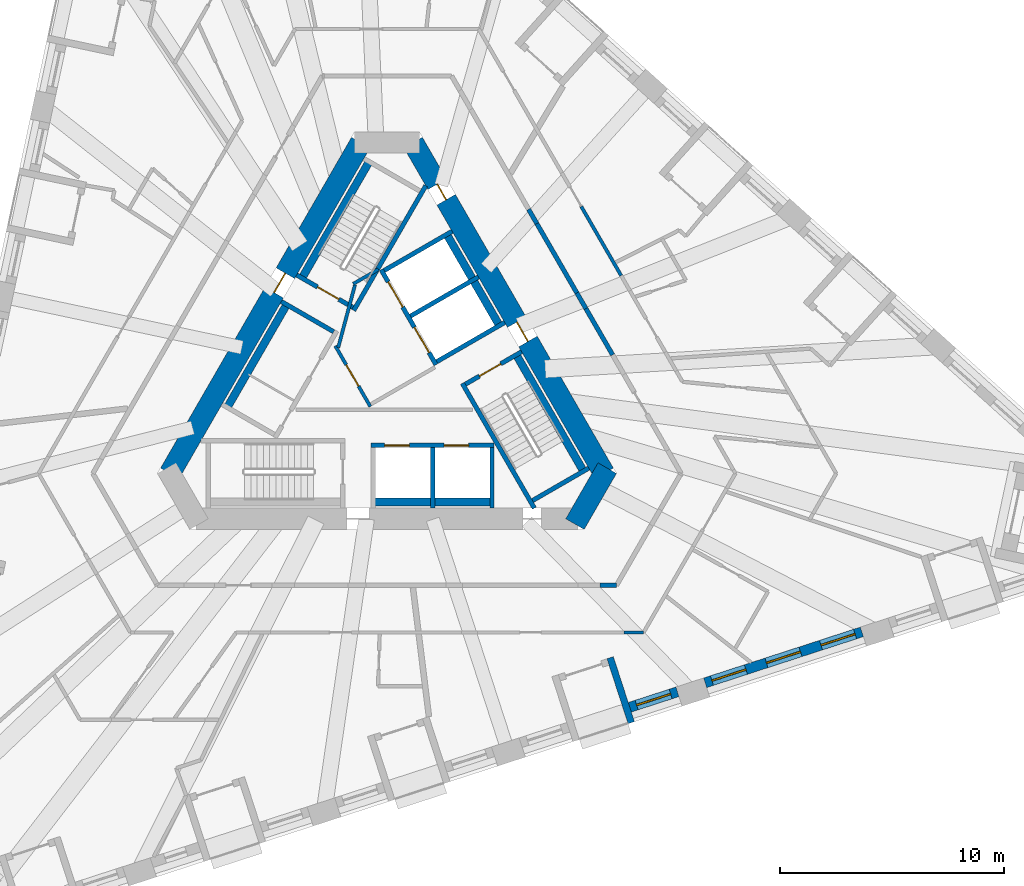
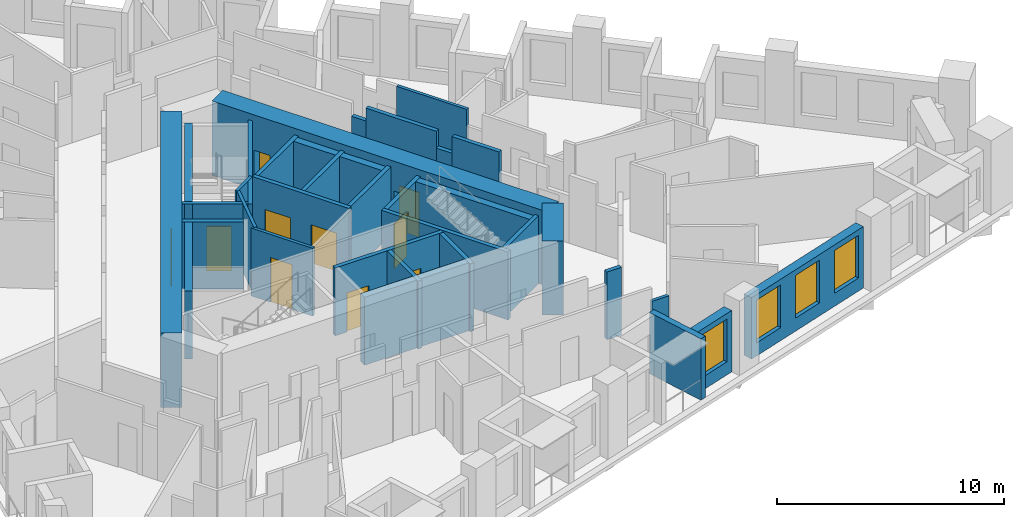
# One storey, part 5 of 13: 34 walls, 10 doors, 4 windows, 14 openings.
"""IFC4 building model written with IfcOpenShell, lengths in metres."""

from ifc_helpers import new_model, si_unit, direction, frame, frame_2d, origin, place, context, subcontext, project, spatial, rectangle, extrude, material, layer, layer_set, type_object, element, fill, save


model = new_model("IFC4")

# Units and contexts
model_context = context("Model", 3, precision=1e-05, world=origin(), true_north=direction((0.0, 1.0)))
body_context = subcontext(model_context, "Body", "Model", "MODEL_VIEW")
ifc_project = project(units=[si_unit("LENGTHUNIT", "METRE"), si_unit("AREAUNIT", "SQUARE_METRE"), si_unit("VOLUMEUNIT", "CUBIC_METRE"), si_unit("PLANEANGLEUNIT", "RADIAN"), si_unit("MASSUNIT", "GRAM", prefix="KILO")], contexts=[model_context])

# Site, building, storey
site_placement = place(None, origin())
site = spatial("IfcSite", under=ifc_project, at=site_placement, CompositionType="ELEMENT")
building_placement = place(site_placement, origin())
building = spatial("IfcBuilding", under=site, at=building_placement, Name="Tramontana Tower", CompositionType="ELEMENT")
storey_placement = place(building_placement, frame((0.0, 0.0, 108.39990234375)))
storey = spatial("IfcBuildingStorey", under=building, at=storey_placement, Name="L24", CompositionType="ELEMENT", Elevation=108.39990234375)

# Wall, opening, door
ifc_material_1 = material(Name="Concrete 70 MPa", Category="concrete")
ifc_layer_1 = layer(ifc_material_1, 0.949951171875)
ifc_layer_set_1 = layer_set([ifc_layer_1], Name="Core wall 950 70 MPa")
wall_type_1 = type_object("IfcWallType", Name="Core wall 950 70 MPa", PredefinedType="SHEAR", material=ifc_layer_set_1)
wall_1_placement = place(storey_placement, frame((-1.169189453125, 10.52490234375, 0.0), z_axis=(0.0, 0.0, 1.0), x_axis=(-0.499999102847, -0.866025921755, 0.0)))
wall_1 = element("IfcWall", 1, at=wall_1_placement, inside=storey, type_object=wall_type_1, Name="Core wall C1 L24", PredefinedType="SHEAR", context=body_context, shape_type="SweptSolid", body=[
    extrude(rectangle(XDim=17.060546875, YDim=0.949951171875, at=frame_2d((8.5302734375, 0.0))), origin(), (0.0, 0.0, 1.0), 4.0),
])
opening_1_placement = place(wall_1_placement, frame((6.7353515625, 0.0, 0.0)))
opening_1 = element("IfcOpeningElement", 2, at=opening_1_placement, cuts=wall_1, Name="Opening RG1", PredefinedType="OPENING", context=body_context, shape_type="SweptSolid", body=[
    extrude(rectangle(XDim=1.0, YDim=2.39990234375, at=frame_2d((0.5, 1.199951171875))), frame((0.0, 0.48486328125, 0.0), z_axis=(0.0, -1.0, 0.0), x_axis=(1.0, 0.0, 0.0)), (0.0, 0.0, 1.0), 0.969970703125),
])
ifc_material_2 = material(Name="Painted steel", Category="steel")
door_type_1 = type_object("IfcDoorType", Name="RING DOOR 1000", OperationType="SINGLE_SWING_LEFT", PredefinedType="DOOR", material=ifc_material_2)
door_1_placement = place(opening_1_placement, origin())
door_1 = element("IfcDoor", 3, at=door_1_placement, inside=storey, type_object=door_type_1, Name="Door RG1", OperationType="SINGLE_SWING_RIGHT", OverallHeight=2.39990234375, OverallWidth=1.0, PredefinedType="DOOR", context=body_context, shape_type="SweptSolid", body=[
    extrude(rectangle(XDim=1.0, YDim=2.39990234375, at=frame_2d((0.5, 1.199951171875))), frame((0.0, 0.02490234375, 0.0), z_axis=(0.0, -1.0, 0.0), x_axis=(1.0, 0.0, 0.0)), (0.0, 0.0, 1.0), 0.050048828125),
])
fill(opening_1, door_1)

# Wall
wall_2_placement = place(storey_placement, frame((8.393310546875, -6.512451171875, 0.0), z_axis=(0.0, 0.0, 1.0), x_axis=(0.499995765644, 0.866027848477, 0.0)))
element("IfcWall", 4, at=wall_2_placement, inside=storey, type_object=wall_type_1, Name="Core wall C4 L24", PredefinedType="SHEAR", context=body_context, shape_type="SweptSolid", body=[
    extrude(rectangle(XDim=2.88671875, YDim=0.949951171875, at=frame_2d((1.443359375, 0.0))), origin(), (0.0, 0.0, 1.0), 4.0),
])

# Wall, openings, doors
wall_3_placement = place(storey_placement, frame((9.699462890625, -4.25, 0.0), z_axis=(0.0, 0.0, 1.0), x_axis=(-0.499999102847, 0.866025921755, 0.0)))
wall_3 = element("IfcWall", 5, at=wall_3_placement, inside=storey, type_object=wall_type_1, Name="Core wall C5 L24", PredefinedType="SHEAR", context=body_context, shape_type="SweptSolid", body=[
    extrude(rectangle(XDim=17.060546875, YDim=0.949951171875, at=frame_2d((8.5302734375, 0.0))), origin(), (0.0, 0.0, 1.0), 4.0),
])
opening_2_placement = place(wall_3_placement, frame((6.805419921875, 0.0, 0.0)))
opening_2 = element("IfcOpeningElement", 6, at=opening_2_placement, cuts=wall_3, Name="Opening RG3", PredefinedType="OPENING", context=body_context, shape_type="SweptSolid", body=[
    extrude(rectangle(XDim=1.0, YDim=2.39990234375, at=frame_2d((0.5, 1.199951171875))), frame((0.0, 0.48486328125, 0.0), z_axis=(0.0, -1.0, 0.0), x_axis=(1.0, 0.0, 0.0)), (0.0, 0.0, 1.0), 0.969970703125),
])
opening_3_placement = place(wall_3_placement, frame((14.11376953125, 0.0, 0.0)))
opening_3 = element("IfcOpeningElement", 7, at=opening_3_placement, cuts=wall_3, Name="Opening PD3", PredefinedType="OPENING", context=body_context, shape_type="SweptSolid", body=[
    extrude(rectangle(XDim=0.800048828125, YDim=2.10009765625, at=frame_2d((0.39990234375, 1.050048828125))), frame((0.0, 0.48486328125, 0.0), z_axis=(0.0, -1.0, 0.0), x_axis=(1.0, 0.0, 0.0)), (0.0, 0.0, 1.0), 0.969970703125),
])
ifc_material_3 = material(Name="Painted steel", Category="steel")
door_type_2 = type_object("IfcDoorType", Name="CUPBOARD DOOR 800", OperationType="SINGLE_SWING_LEFT", PredefinedType="DOOR", material=ifc_material_3)
door_2_placement = place(opening_3_placement, origin())
door_2 = element("IfcDoor", 8, at=door_2_placement, inside=storey, type_object=door_type_2, Name="Door PD3", OperationType="SINGLE_SWING_RIGHT", OverallHeight=2.10009765625, OverallWidth=0.800048828125, PredefinedType="DOOR", context=body_context, shape_type="SweptSolid", body=[
    extrude(rectangle(XDim=0.800048828125, YDim=2.10009765625, at=frame_2d((0.39990234375, 1.050048828125))), frame((0.0, 0.02490234375, 0.0), z_axis=(0.0, -1.0, 0.0), x_axis=(1.0, 0.0, 0.0)), (0.0, 0.0, 1.0), 0.050048828125),
])
fill(opening_3, door_2)
door_3_placement = place(opening_2_placement, origin())
door_3 = element("IfcDoor", 9, at=door_3_placement, inside=storey, type_object=door_type_1, Name="Door RG3", OperationType="SINGLE_SWING_RIGHT", OverallHeight=2.39990234375, OverallWidth=1.0, PredefinedType="DOOR", context=body_context, shape_type="SweptSolid", body=[
    extrude(rectangle(XDim=1.0, YDim=2.39990234375, at=frame_2d((0.5, 1.199951171875))), frame((0.0, 0.02490234375, 0.0), z_axis=(0.0, -1.0, 0.0), x_axis=(1.0, 0.0, 0.0)), (0.0, 0.0, 1.0), 0.050048828125),
])
fill(opening_2, door_3)

# Walls
ifc_material_4 = material(Name="Blockwork", Category="masonry")
ifc_layer_2 = layer(ifc_material_4, 0.199951171875)
ifc_layer_set_2 = layer_set([ifc_layer_2], Name="ENTRY WALL 200")
wall_type_2 = type_object("IfcWallType", Name="ENTRY WALL 200", PredefinedType="SOLIDWALL", material=ifc_layer_set_2)
wall_4_placement = place(storey_placement, frame((6.323974609375, 7.546630859375, 0.0), z_axis=(0.0, 0.0, 1.0), x_axis=(0.499885169746, -0.866091690913, 0.0)))
element("IfcWall", 10, at=wall_4_placement, inside=storey, type_object=wall_type_2, Name="Wall v21-ew0-3", PredefinedType="SOLIDWALL", context=body_context, shape_type="SweptSolid", body=[
    extrude(rectangle(XDim=0.736083984375, YDim=0.199951171875, at=frame_2d((0.3681640625, 0.0))), origin(), (0.0, 0.0, 1.0), 2.9501953125),
])
wall_5_placement = place(storey_placement, frame((6.69189453125, 6.9091796875, 0.0), z_axis=(0.0, 0.0, 1.0), x_axis=(0.500029679218, -0.866008267802, 0.0)))
element("IfcWall", 11, at=wall_5_placement, inside=storey, type_object=wall_type_2, Name="Wall v21-ew0-4", PredefinedType="SOLIDWALL", context=body_context, shape_type="SweptSolid", body=[
    extrude(rectangle(XDim=3.576904296875, YDim=0.199951171875, at=frame_2d((1.78857421875, 0.0))), origin(), (0.0, 0.0, 1.0), 3.650146484375),
])
wall_6_placement = place(storey_placement, frame((8.48046875, 3.8115234375, 0.0), z_axis=(0.0, 0.0, 1.0), x_axis=(0.499809598504, -0.866135304236, 0.0)))
element("IfcWall", 12, at=wall_6_placement, inside=storey, type_object=wall_type_2, Name="Wall v21-ew0-5", PredefinedType="SOLIDWALL", context=body_context, shape_type="SweptSolid", body=[
    extrude(rectangle(XDim=0.808349609375, YDim=0.199951171875, at=frame_2d((0.404296875, 0.0))), origin(), (0.0, 0.0, 1.0), 2.75),
])
wall_7_placement = place(storey_placement, frame((8.884521484375, 3.111328125, 0.0), z_axis=(0.0, 0.0, 1.0), x_axis=(0.500035462246, -0.866004928679, 0.0)))
element("IfcWall", 13, at=wall_7_placement, inside=storey, type_object=wall_type_2, Name="Wall v21-ew0-6", PredefinedType="SOLIDWALL", context=body_context, shape_type="SweptSolid", body=[
    extrude(rectangle(XDim=2.385498046875, YDim=0.199951171875, at=frame_2d((1.19287109375, 0.0))), origin(), (0.0, 0.0, 1.0), 3.650146484375),
])
wall_8_placement = place(storey_placement, frame((10.248046875, -9.25, 0.0), z_axis=(0.0, 0.0, 1.0), x_axis=(-1.0, 0.0, 0.0)))
element("IfcWall", 14, at=wall_8_placement, inside=storey, type_object=wall_type_2, Name="Wall v21-ew2-0", PredefinedType="SOLIDWALL", context=body_context, shape_type="SweptSolid", body=[
    extrude(rectangle(XDim=0.74365234375, YDim=0.199951171875, at=frame_2d((0.371826171875, 0.0))), origin(), (0.0, 0.0, 1.0), 3.650146484375),
])

# Wall, opening, window
ifc_material_5 = material(Name="Precast concrete 60 MPa", Category="concrete")
ifc_layer_3 = layer(ifc_material_5, 0.449951171875)
ifc_layer_set_3 = layer_set([ifc_layer_3], Name="Precast concrete 60 MPa, 450 mm")
wall_type_3 = type_object("IfcWallType", Name="EW1 Stone-faced precast wall 450", PredefinedType="SOLIDWALL", material=ifc_layer_set_3)
wall_9_placement = place(storey_placement, frame((10.8447265625, -14.69287109375, 0.0), z_axis=(0.0, 0.0, 1.0), x_axis=(0.951057328329, 0.30901449518, 0.0)))
wall_9 = element("IfcWall", 15, at=wall_9_placement, inside=storey, type_object=wall_type_3, Name="External wall L24 face 1 bay 4", PredefinedType="SOLIDWALL", context=body_context, shape_type="SweptSolid", body=[
    extrude(rectangle(XDim=2.236572265625, YDim=0.449951171875, at=frame_2d((1.1181640625, 0.0))), origin(), (0.0, 0.0, 1.0), 3.300048828125),
])
opening_4_placement = place(wall_9_placement, frame((0.318359375, 0.0, 0.699951171875)))
opening_4 = element("IfcOpeningElement", 16, at=opening_4_placement, cuts=wall_9, Name="Opening M1", PredefinedType="OPENING", context=body_context, shape_type="SweptSolid", body=[
    extrude(rectangle(XDim=1.60009765625, YDim=2.300048828125, at=frame_2d((0.800048828125, 1.14990234375))), frame((0.0, 0.23486328125, 0.0), z_axis=(0.0, -1.0, 0.0), x_axis=(1.0, 0.0, 0.0)), (0.0, 0.0, 1.0), 0.469970703125),
])
ifc_material_6 = material(Name="Aluminum frame, double glazing unit", Category="aluminium")
window_type = type_object("IfcWindowType", Name="M1 Window 1.6 x 2.3", PartitioningType="SINGLE_PANEL", PredefinedType="WINDOW", material=ifc_material_6)
window_1_placement = place(opening_4_placement, origin())
window_1 = element("IfcWindow", 17, at=window_1_placement, inside=storey, type_object=window_type, Name="Window M1 L24 face 1 module 12", OverallHeight=2.300048828125, OverallWidth=1.60009765625, PartitioningType="SINGLE_PANEL", PredefinedType="WINDOW", context=body_context, shape_type="SweptSolid", body=[
    extrude(rectangle(XDim=1.60009765625, YDim=2.300048828125, at=frame_2d((0.800048828125, 1.14990234375))), frame((0.0, 0.030029296875, 0.0), z_axis=(0.0, -1.0, 0.0), x_axis=(1.0, 0.0, 0.0)), (0.0, 0.0, 1.0), 0.06005859375),
])
fill(opening_4, window_1)

# Wall, openings, windows
wall_10_placement = place(storey_placement, frame((14.208251953125, -13.60009765625, 0.0), z_axis=(0.0, 0.0, 1.0), x_axis=(0.951057467065, 0.309014068191, 0.0)))
wall_10 = element("IfcWall", 18, at=wall_10_placement, inside=storey, type_object=wall_type_3, Name="External wall L24 face 1 bay 5", PredefinedType="SOLIDWALL", context=body_context, shape_type="SweptSolid", body=[
    extrude(rectangle(XDim=7.360107421875, YDim=0.449951171875, at=frame_2d((3.68017578125, 0.0))), origin(), (0.0, 0.0, 1.0), 3.300048828125),
])
opening_5_placement = place(wall_10_placement, frame((0.318359375, 0.0, 0.699951171875)))
opening_5 = element("IfcOpeningElement", 19, at=opening_5_placement, cuts=wall_10, Name="Opening M1", PredefinedType="OPENING", context=body_context, shape_type="SweptSolid", body=[
    extrude(rectangle(XDim=1.60009765625, YDim=2.300048828125, at=frame_2d((0.800048828125, 1.14990234375))), frame((0.0, 0.23486328125, 0.0), z_axis=(0.0, -1.0, 0.0), x_axis=(1.0, 0.0, 0.0)), (0.0, 0.0, 1.0), 0.469970703125),
])
opening_6_placement = place(wall_10_placement, frame((2.880126953125, 0.0, 0.699951171875)))
opening_6 = element("IfcOpeningElement", 20, at=opening_6_placement, cuts=wall_10, Name="Opening M1", PredefinedType="OPENING", context=body_context, shape_type="SweptSolid", body=[
    extrude(rectangle(XDim=1.60009765625, YDim=2.300048828125, at=frame_2d((0.800048828125, 1.14990234375))), frame((0.0, 0.23486328125, 0.0), z_axis=(0.0, -1.0, 0.0), x_axis=(1.0, 0.0, 0.0)), (0.0, 0.0, 1.0), 0.469970703125),
])
opening_7_placement = place(wall_10_placement, frame((5.44189453125, 0.0, 0.699951171875)))
opening_7 = element("IfcOpeningElement", 21, at=opening_7_placement, cuts=wall_10, Name="Opening M1", PredefinedType="OPENING", context=body_context, shape_type="SweptSolid", body=[
    extrude(rectangle(XDim=1.60009765625, YDim=2.300048828125, at=frame_2d((0.800048828125, 1.14990234375))), frame((0.0, 0.23486328125, 0.0), z_axis=(0.0, -1.0, 0.0), x_axis=(1.0, 0.0, 0.0)), (0.0, 0.0, 1.0), 0.469970703125),
])
window_2_placement = place(opening_5_placement, origin())
window_2 = element("IfcWindow", 22, at=window_2_placement, inside=storey, type_object=window_type, Name="Window M1 L24 face 1 module 13", OverallHeight=2.300048828125, OverallWidth=1.60009765625, PartitioningType="SINGLE_PANEL", PredefinedType="WINDOW", context=body_context, shape_type="SweptSolid", body=[
    extrude(rectangle(XDim=1.60009765625, YDim=2.300048828125, at=frame_2d((0.800048828125, 1.14990234375))), frame((0.0, 0.030029296875, 0.0), z_axis=(0.0, -1.0, 0.0), x_axis=(1.0, 0.0, 0.0)), (0.0, 0.0, 1.0), 0.06005859375),
])
fill(opening_5, window_2)
window_3_placement = place(opening_6_placement, origin())
window_3 = element("IfcWindow", 23, at=window_3_placement, inside=storey, type_object=window_type, Name="Window M1 L24 face 1 module 14", OverallHeight=2.300048828125, OverallWidth=1.60009765625, PartitioningType="SINGLE_PANEL", PredefinedType="WINDOW", context=body_context, shape_type="SweptSolid", body=[
    extrude(rectangle(XDim=1.60009765625, YDim=2.300048828125, at=frame_2d((0.800048828125, 1.14990234375))), frame((0.0, 0.030029296875, 0.0), z_axis=(0.0, -1.0, 0.0), x_axis=(1.0, 0.0, 0.0)), (0.0, 0.0, 1.0), 0.06005859375),
])
fill(opening_6, window_3)
window_4_placement = place(opening_7_placement, origin())
window_4 = element("IfcWindow", 24, at=window_4_placement, inside=storey, type_object=window_type, Name="Window M1 L24 face 1 module 15", OverallHeight=2.300048828125, OverallWidth=1.60009765625, PartitioningType="SINGLE_PANEL", PredefinedType="WINDOW", context=body_context, shape_type="SweptSolid", body=[
    extrude(rectangle(XDim=1.60009765625, YDim=2.300048828125, at=frame_2d((0.800048828125, 1.14990234375))), frame((0.0, 0.030029296875, 0.0), z_axis=(0.0, -1.0, 0.0), x_axis=(1.0, 0.0, 0.0)), (0.0, 0.0, 1.0), 0.06005859375),
])
fill(opening_7, window_4)

# Wall
ifc_material_7 = material(Name="Precast concrete 60 MPa", Category="concrete")
ifc_layer_4 = layer(ifc_material_7, 0.300048828125)
ifc_layer_set_4 = layer_set([ifc_layer_4], Name="LW1 Stone-faced loggia wall 300")
wall_type_4 = type_object("IfcWallType", Name="LW1 Stone-faced loggia wall 300", PredefinedType="SOLIDWALL", material=ifc_layer_set_4)
wall_11_placement = place(storey_placement, frame((10.91064453125, -15.38134765625, 0.0), z_axis=(0.0, 0.0, 1.0), x_axis=(-0.309039015525, 0.951049360908, 0.0)))
element("IfcWall", 25, at=wall_11_placement, inside=storey, type_object=wall_type_4, Name="Loggia return L24 G2S1.10b", PredefinedType="SOLIDWALL", context=body_context, shape_type="SweptSolid", body=[
    extrude(rectangle(XDim=3.05029296875, YDim=0.300048828125, at=frame_2d((1.525146484375, 0.0))), origin(), (0.0, 0.0, 1.0), 3.300048828125),
])

# Wall, opening, door
ifc_material_8 = material(Name="Gypsum board partition")
ifc_layer_5 = layer(ifc_material_8, 0.14990234375)
ifc_layer_set_5 = layer_set([ifc_layer_5], Name="PARTITION 150")
wall_type_5 = type_object("IfcWallType", Name="PARTITION 150", PredefinedType="PARTITIONING", material=ifc_layer_set_5)
wall_12_placement = place(storey_placement, frame((-0.744140625, -1.260986328125, 0.0), z_axis=(0.0, 0.0, 1.0), x_axis=(-0.500004234368, 0.866022959057, 0.0)))
wall_12 = element("IfcWall", 26, at=wall_12_placement, inside=storey, type_object=wall_type_5, Name="Wall ff-front", PredefinedType="PARTITIONING", context=body_context, shape_type="SweptSolid", body=[
    extrude(rectangle(XDim=3.125, YDim=0.14990234375, at=frame_2d((1.5625, 0.0))), origin(), (0.0, 0.0, 1.0), 3.650146484375),
])
opening_8_placement = place(wall_12_placement, frame((1.050048828125, 0.0, 0.0)))
opening_8 = element("IfcOpeningElement", 27, at=opening_8_placement, cuts=wall_12, Name="Opening FD1", PredefinedType="OPENING", context=body_context, shape_type="SweptSolid", body=[
    extrude(rectangle(XDim=1.10009765625, YDim=2.39990234375, at=frame_2d((0.550048828125, 1.199951171875))), frame((0.0, 0.0849609375, 0.0), z_axis=(0.0, -1.0, 0.0), x_axis=(1.0, 0.0, 0.0)), (0.0, 0.0, 1.0), 0.169921875),
])
ifc_material_9 = material(Name="Painted timber", Category="wood")
door_type_3 = type_object("IfcDoorType", Name="DOOR ENTRY 1100", OperationType="SINGLE_SWING_LEFT", PredefinedType="DOOR", material=ifc_material_9)
door_4_placement = place(opening_8_placement, origin())
door_4 = element("IfcDoor", 28, at=door_4_placement, inside=storey, type_object=door_type_3, Name="Door FD1", OperationType="SINGLE_SWING_LEFT", OverallHeight=2.39990234375, OverallWidth=1.10009765625, PredefinedType="DOOR", context=body_context, shape_type="SweptSolid", body=[
    extrude(rectangle(XDim=1.10009765625, YDim=2.39990234375, at=frame_2d((0.550048828125, 1.199951171875))), frame((0.0, 0.02490234375, 0.0), z_axis=(0.0, -1.0, 0.0), x_axis=(1.0, 0.0, 0.0)), (0.0, 0.0, 1.0), 0.050048828125),
])
fill(opening_8, door_4)

# Walls
wall_13_placement = place(storey_placement, frame((-2.177978515625, 1.372314453125, 0.0), z_axis=(0.0, 0.0, 1.0), x_axis=(0.258808958833, 0.96592852884, 0.0)))
element("IfcWall", 29, at=wall_13_placement, inside=storey, type_object=wall_type_5, Name="Wall ff-diag", PredefinedType="PARTITIONING", context=body_context, shape_type="SweptSolid", body=[
    extrude(rectangle(XDim=2.902587890625, YDim=0.14990234375, at=frame_2d((1.451171875, 0.0))), origin(), (0.0, 0.0, 1.0), 3.650146484375),
])
wall_14_placement = place(storey_placement, frame((-1.509765625, 4.21484375, 0.0), z_axis=(0.0, 0.0, 1.0), x_axis=(0.866085525409, 0.49989585183, 0.0)))
element("IfcWall", 30, at=wall_14_placement, inside=storey, type_object=wall_type_5, Name="Wall ff-end1", PredefinedType="PARTITIONING", context=body_context, shape_type="SweptSolid", body=[
    extrude(rectangle(XDim=1.300048828125, YDim=0.14990234375, at=frame_2d((0.64990234375, 0.0))), origin(), (0.0, 0.0, 1.0), 3.650146484375),
])
wall_15_placement = place(storey_placement, frame((8.678955078125, 7.667724609375, 0.0), z_axis=(0.0, 0.0, 1.0), x_axis=(0.500013496215, -0.866017611601, 0.0)))
element("IfcWall", 31, at=wall_15_placement, inside=storey, type_object=wall_type_5, Name="Wall v21-pw40-3", PredefinedType="PARTITIONING", context=body_context, shape_type="SweptSolid", body=[
    extrude(rectangle(XDim=3.55810546875, YDim=0.14990234375, at=frame_2d((1.779052734375, 0.0))), origin(), (0.0, 0.0, 1.0), 3.650146484375),
])
wall_16_placement = place(storey_placement, frame((11.46044921875, -11.35009765625, 0.0), z_axis=(0.0, 0.0, 1.0), x_axis=(-1.0, 0.0, 0.0)))
element("IfcWall", 32, at=wall_16_placement, inside=storey, type_object=wall_type_5, Name="Wall v21-pw44-0", PredefinedType="PARTITIONING", context=body_context, shape_type="SweptSolid", body=[
    extrude(rectangle(XDim=0.869384765625, YDim=0.14990234375, at=frame_2d((0.4345703125, 0.0))), origin(), (0.0, 0.0, 1.0), 2.9501953125),
])
ifc_material_10 = material(Name="Concrete 70 MPa", Category="concrete")
ifc_layer_6 = layer(ifc_material_10, 0.35009765625)
ifc_layer_set_6 = layer_set([ifc_layer_6], Name="Concrete 70 MPa, 350 mm")
wall_type_6 = type_object("IfcWallType", Name="RC SHAFT BACK WALL 350", PredefinedType="SOLIDWALL", material=ifc_layer_set_6)
wall_17_placement = place(storey_placement, frame((-0.744873046875, 9.760009765625, 0.0), z_axis=(0.0, 0.0, 1.0), x_axis=(-0.49998037582, -0.866036733513, 0.0)))
element("IfcWall", 33, at=wall_17_placement, inside=storey, type_object=wall_type_6, Name="Wall st1-back", PredefinedType="SOLIDWALL", context=body_context, shape_type="SweptSolid", body=[
    extrude(rectangle(XDim=6.199951171875, YDim=0.35009765625, at=frame_2d((3.10009765625, 0.0))), origin(), (0.0, 0.0, 1.0), 3.650146484375),
])
wall_18_placement = place(storey_placement, frame((8.82470703125, -4.23486328125, 0.0), z_axis=(0.0, 0.0, 1.0), x_axis=(-0.499997426962, 0.866026889324, 0.0)))
element("IfcWall", 34, at=wall_18_placement, inside=storey, type_object=wall_type_6, Name="Wall st3-back", PredefinedType="SOLIDWALL", context=body_context, shape_type="SweptSolid", body=[
    extrude(rectangle(XDim=6.19970703125, YDim=0.35009765625, at=frame_2d((3.099853515625, 0.0))), origin(), (0.0, 0.0, 1.0), 3.650146484375),
])
for number, where, z_axis, x_axis, name in (
    (35, (-4.4296875, 3.37744140625, 0.0), (0.0, 0.0, 1.0), (-0.499996545922, -0.866027397988, 0.0), "Wall row0-back"),
    (36, (-0.7099609375, -5.52490234375, 0.0), (0.0, 0.0, 1.0), (1.0, 0.0, 0.0), "Wall row1-back"),
):
    element("IfcWall", number, at=place(storey_placement, frame(where, z_axis=z_axis, x_axis=x_axis)), inside=storey, type_object=wall_type_6, Name=name, PredefinedType="SOLIDWALL", context=body_context, shape_type="SweptSolid", body=[
        extrude(rectangle(XDim=5.5, YDim=0.35009765625, at=frame_2d((2.75, 0.0))), origin(), (0.0, 0.0, 1.0), 3.650146484375),
    ])
wall_19_placement = place(storey_placement, frame((5.06982421875, 2.268798828125, 0.0), z_axis=(0.0, 0.0, 1.0), x_axis=(-0.49998122708, 0.866036242063, 0.0)))
element("IfcWall", 37, at=wall_19_placement, inside=storey, type_object=wall_type_6, Name="Wall row2-back", PredefinedType="SOLIDWALL", context=body_context, shape_type="SweptSolid", body=[
    extrude(rectangle(XDim=4.900146484375, YDim=0.35009765625, at=frame_2d((2.4501953125, 0.0))), origin(), (0.0, 0.0, 1.0), 3.650146484375),
])
ifc_material_11 = material(Name="Concrete 70 MPa", Category="concrete")
ifc_layer_7 = layer(ifc_material_11, 0.199951171875)
ifc_layer_set_7 = layer_set([ifc_layer_7], Name="Concrete 70 MPa, 200 mm")
wall_type_7 = type_object("IfcWallType", Name="RC STAIR AND SHAFT WALL 200", PredefinedType="SOLIDWALL", material=ifc_layer_set_7)
wall_20_placement = place(storey_placement, frame((1.73193359375, 8.60009765625, 0.0), z_axis=(0.0, 0.0, 1.0), x_axis=(-0.499975376872, -0.866039619487, 0.0)))
element("IfcWall", 38, at=wall_20_placement, inside=storey, type_object=wall_type_7, Name="Wall st1-front", PredefinedType="SOLIDWALL", context=body_context, shape_type="SweptSolid", body=[
    extrude(rectangle(XDim=6.433837890625, YDim=0.199951171875, at=frame_2d((3.216796875, 0.0))), origin(), (0.0, 0.0, 1.0), 3.650146484375),
])

# Wall, opening, door
wall_21_placement = place(storey_placement, frame((-1.521484375, 3.164794921875, 0.0), z_axis=(0.0, 0.0, 1.0), x_axis=(-0.866032775405, 0.499987231761, 0.0)))
wall_21 = element("IfcWall", 39, at=wall_21_placement, inside=storey, type_object=wall_type_7, Name="Wall st1-near", PredefinedType="SOLIDWALL", context=body_context, shape_type="SweptSolid", body=[
    extrude(rectangle(XDim=2.89990234375, YDim=0.199951171875, at=frame_2d((1.449951171875, 0.0))), origin(), (0.0, 0.0, 1.0), 3.650146484375),
])
opening_9_placement = place(wall_21_placement, frame((0.72509765625, 0.0, 0.0)))
opening_9 = element("IfcOpeningElement", 40, at=opening_9_placement, cuts=wall_21, Name="Opening SD1", PredefinedType="OPENING", context=body_context, shape_type="SweptSolid", body=[
    extrude(rectangle(XDim=1.10009765625, YDim=2.39990234375, at=frame_2d((0.550048828125, 1.199951171875))), frame((0.0, 0.10986328125, 0.0), z_axis=(0.0, -1.0, 0.0), x_axis=(1.0, 0.0, 0.0)), (0.0, 0.0, 1.0), 0.219970703125),
])
ifc_material_12 = material(Name="Painted steel", Category="steel")
door_type_4 = type_object("IfcDoorType", Name="STAIR DOOR 1100", OperationType="SINGLE_SWING_LEFT", PredefinedType="DOOR", material=ifc_material_12)
door_5_placement = place(opening_9_placement, origin())
door_5 = element("IfcDoor", 41, at=door_5_placement, inside=storey, type_object=door_type_4, Name="Door SD1", OperationType="SINGLE_SWING_RIGHT", OverallHeight=2.39990234375, OverallWidth=1.10009765625, PredefinedType="DOOR", context=body_context, shape_type="SweptSolid", body=[
    extrude(rectangle(XDim=1.10009765625, YDim=2.39990234375, at=frame_2d((0.550048828125, 1.199951171875))), frame((0.0, 0.02490234375, 0.0), z_axis=(0.0, -1.0, 0.0), x_axis=(1.0, 0.0, 0.0)), (0.0, 0.0, 1.0), 0.050048828125),
])
fill(opening_9, door_5)

# Walls
wall_22_placement = place(storey_placement, frame((6.581787109375, -5.800048828125, 0.0), z_axis=(0.0, 0.0, 1.0), x_axis=(-0.499975376872, 0.866039619487, 0.0)))
element("IfcWall", 42, at=wall_22_placement, inside=storey, type_object=wall_type_7, Name="Wall st3-front", PredefinedType="SOLIDWALL", context=body_context, shape_type="SweptSolid", body=[
    extrude(rectangle(XDim=6.433837890625, YDim=0.199951171875, at=frame_2d((3.216796875, 0.0))), origin(), (0.0, 0.0, 1.0), 3.650146484375),
])
wall_23_placement = place(storey_placement, frame((6.50146484375, -5.4609375, 0.0), z_axis=(0.0, 0.0, 1.0), x_axis=(0.866032775405, 0.499987231761, 0.0)))
element("IfcWall", 43, at=wall_23_placement, inside=storey, type_object=wall_type_7, Name="Wall st3-far", PredefinedType="SOLIDWALL", context=body_context, shape_type="SweptSolid", body=[
    extrude(rectangle(XDim=2.89990234375, YDim=0.199951171875, at=frame_2d((1.449951171875, 0.0))), origin(), (0.0, 0.0, 1.0), 3.650146484375),
])

# Wall, opening, door
wall_24_placement = place(storey_placement, frame((3.50146484375, -0.2646484375, 0.0), z_axis=(0.0, 0.0, 1.0), x_axis=(0.866032775405, 0.499987231761, 0.0)))
wall_24 = element("IfcWall", 44, at=wall_24_placement, inside=storey, type_object=wall_type_7, Name="Wall st3-near", PredefinedType="SOLIDWALL", context=body_context, shape_type="SweptSolid", body=[
    extrude(rectangle(XDim=2.89990234375, YDim=0.199951171875, at=frame_2d((1.449951171875, 0.0))), origin(), (0.0, 0.0, 1.0), 3.650146484375),
])
opening_10_placement = place(wall_24_placement, frame((0.72509765625, 0.0, 0.0)))
opening_10 = element("IfcOpeningElement", 45, at=opening_10_placement, cuts=wall_24, Name="Opening SD3", PredefinedType="OPENING", context=body_context, shape_type="SweptSolid", body=[
    extrude(rectangle(XDim=1.10009765625, YDim=2.39990234375, at=frame_2d((0.550048828125, 1.199951171875))), frame((0.0, 0.10986328125, 0.0), z_axis=(0.0, -1.0, 0.0), x_axis=(1.0, 0.0, 0.0)), (0.0, 0.0, 1.0), 0.219970703125),
])
door_6_placement = place(opening_10_placement, origin())
door_6 = element("IfcDoor", 46, at=door_6_placement, inside=storey, type_object=door_type_4, Name="Door SD3", OperationType="SINGLE_SWING_RIGHT", OverallHeight=2.39990234375, OverallWidth=1.10009765625, PredefinedType="DOOR", context=body_context, shape_type="SweptSolid", body=[
    extrude(rectangle(XDim=1.10009765625, YDim=2.39990234375, at=frame_2d((0.550048828125, 1.199951171875))), frame((0.0, 0.02490234375, 0.0), z_axis=(0.0, -1.0, 0.0), x_axis=(1.0, 0.0, 0.0)), (0.0, 0.0, 1.0), 0.050048828125),
])
fill(opening_10, door_6)

# Wall
wall_25_placement = place(storey_placement, frame((-2.379638671875, 2.078369140625, 0.0), z_axis=(0.0, 0.0, 1.0), x_axis=(-0.866059108428, 0.4999416173, 0.0)))
element("IfcWall", 47, at=wall_25_placement, inside=storey, type_object=wall_type_7, Name="Wall row0-side0", PredefinedType="SOLIDWALL", context=body_context, shape_type="SweptSolid", body=[
    extrude(rectangle(XDim=2.699951171875, YDim=0.199951171875, at=frame_2d((1.35009765625, 0.0))), origin(), (0.0, 0.0, 1.0), 3.650146484375),
])

# Wall, openings, doors
wall_26_placement = place(storey_placement, frame((-0.7099609375, -3.0, 0.0), z_axis=(0.0, 0.0, 1.0), x_axis=(1.0, 0.0, 0.0)))
wall_26 = element("IfcWall", 48, at=wall_26_placement, inside=storey, type_object=wall_type_7, Name="Wall row1-front", PredefinedType="SOLIDWALL", context=body_context, shape_type="SweptSolid", body=[
    extrude(rectangle(XDim=5.5, YDim=0.199951171875, at=frame_2d((2.75, 0.0))), origin(), (0.0, 0.0, 1.0), 3.650146484375),
])
opening_11_placement = place(wall_26_placement, frame((0.610107421875, 0.0, 0.0)))
opening_11 = element("IfcOpeningElement", 49, at=opening_11_placement, cuts=wall_26, Name="Opening LD-S1", PredefinedType="OPENING", context=body_context, shape_type="SweptSolid", body=[
    extrude(rectangle(XDim=1.10009765625, YDim=2.10009765625, at=frame_2d((0.550048828125, 1.050048828125))), frame((0.0, 0.10986328125, 0.0), z_axis=(0.0, -1.0, 0.0), x_axis=(1.0, 0.0, 0.0)), (0.0, 0.0, 1.0), 0.219970703125),
])
opening_12_placement = place(wall_26_placement, frame((3.260009765625, 0.0, 0.0)))
opening_12 = element("IfcOpeningElement", 50, at=opening_12_placement, cuts=wall_26, Name="Opening LD-S2", PredefinedType="OPENING", context=body_context, shape_type="SweptSolid", body=[
    extrude(rectangle(XDim=1.10009765625, YDim=2.10009765625, at=frame_2d((0.550048828125, 1.050048828125))), frame((0.0, 0.10986328125, 0.0), z_axis=(0.0, -1.0, 0.0), x_axis=(1.0, 0.0, 0.0)), (0.0, 0.0, 1.0), 0.219970703125),
])
ifc_material_13 = material(Name="Brushed steel", Category="steel")
door_type_5 = type_object("IfcDoorType", Name="LANDING DOOR 1100", OperationType="SINGLE_SWING_LEFT", PredefinedType="DOOR", material=ifc_material_13)
door_7_placement = place(opening_11_placement, origin())
door_7 = element("IfcDoor", 51, at=door_7_placement, inside=storey, type_object=door_type_5, Name="Door LD-S1", OperationType="SLIDING_TO_LEFT", OverallHeight=2.10009765625, OverallWidth=1.10009765625, PredefinedType="DOOR", context=body_context, shape_type="SweptSolid", body=[
    extrude(rectangle(XDim=1.10009765625, YDim=2.10009765625, at=frame_2d((0.550048828125, 1.050048828125))), frame((0.0, 0.02490234375, 0.0), z_axis=(0.0, -1.0, 0.0), x_axis=(1.0, 0.0, 0.0)), (0.0, 0.0, 1.0), 0.050048828125),
])
fill(opening_11, door_7)
door_8_placement = place(opening_12_placement, origin())
door_8 = element("IfcDoor", 52, at=door_8_placement, inside=storey, type_object=door_type_5, Name="Door LD-S2", OperationType="SLIDING_TO_RIGHT", OverallHeight=2.10009765625, OverallWidth=1.10009765625, PredefinedType="DOOR", context=body_context, shape_type="SweptSolid", body=[
    extrude(rectangle(XDim=1.10009765625, YDim=2.10009765625, at=frame_2d((0.550048828125, 1.050048828125))), frame((0.0, 0.02490234375, 0.0), z_axis=(0.0, -1.0, 0.0), x_axis=(1.0, 0.0, 0.0)), (0.0, 0.0, 1.0), 0.050048828125),
])
fill(opening_12, door_8)

# Walls
for number, where, z_axis, x_axis, name in (
    (53, (2.0400390625, -3.10009765625, 0.0), (0.0, 0.0, 1.0), (0.0, -1.0, 0.0), "Wall row1-side1"),
    (54, (4.68994140625, -3.10009765625, 0.0), (0.0, 0.0, 1.0), (0.0, -1.0, 0.0), "Wall row1-side2"),
):
    element("IfcWall", number, at=place(storey_placement, frame(where, z_axis=z_axis, x_axis=x_axis)), inside=storey, type_object=wall_type_7, Name=name, PredefinedType="SOLIDWALL", context=body_context, shape_type="SweptSolid", body=[
        extrude(rectangle(XDim=2.699951171875, YDim=0.199951171875, at=frame_2d((1.35009765625, 0.0))), origin(), (0.0, 0.0, 1.0), 3.650146484375),
    ])

# Wall, openings, doors
wall_27_placement = place(storey_placement, frame((2.190185546875, 0.6064453125, 0.0), z_axis=(0.0, 0.0, 1.0), x_axis=(-0.500002801628, 0.866023786258, 0.0)))
wall_27 = element("IfcWall", 55, at=wall_27_placement, inside=storey, type_object=wall_type_7, Name="Wall row2-front", PredefinedType="SOLIDWALL", context=body_context, shape_type="SweptSolid", body=[
    extrude(rectangle(XDim=4.89990234375, YDim=0.199951171875, at=frame_2d((2.449951171875, 0.0))), origin(), (0.0, 0.0, 1.0), 3.650146484375),
])
opening_13_placement = place(wall_27_placement, frame((0.625, 0.0, 0.0)))
opening_13 = element("IfcOpeningElement", 56, at=opening_13_placement, cuts=wall_27, Name="Opening LD-F1", PredefinedType="OPENING", context=body_context, shape_type="SweptSolid", body=[
    extrude(rectangle(XDim=1.300048828125, YDim=2.10009765625, at=frame_2d((0.64990234375, 1.050048828125))), frame((0.0, 0.10986328125, 0.0), z_axis=(0.0, -1.0, 0.0), x_axis=(1.0, 0.0, 0.0)), (0.0, 0.0, 1.0), 0.219970703125),
])
opening_14_placement = place(wall_27_placement, frame((2.97509765625, 0.0, 0.0)))
opening_14 = element("IfcOpeningElement", 57, at=opening_14_placement, cuts=wall_27, Name="Opening LD-F2", PredefinedType="OPENING", context=body_context, shape_type="SweptSolid", body=[
    extrude(rectangle(XDim=1.300048828125, YDim=2.10009765625, at=frame_2d((0.64990234375, 1.050048828125))), frame((0.0, 0.10986328125, 0.0), z_axis=(0.0, -1.0, 0.0), x_axis=(1.0, 0.0, 0.0)), (0.0, 0.0, 1.0), 0.219970703125),
])
ifc_material_14 = material(Name="Brushed steel", Category="steel")
door_type_6 = type_object("IfcDoorType", Name="LANDING DOOR 1300", OperationType="SINGLE_SWING_LEFT", PredefinedType="DOOR", material=ifc_material_14)
door_9_placement = place(opening_13_placement, origin())
door_9 = element("IfcDoor", 58, at=door_9_placement, inside=storey, type_object=door_type_6, Name="Door LD-F1", OperationType="SLIDING_TO_LEFT", OverallHeight=2.10009765625, OverallWidth=1.300048828125, PredefinedType="DOOR", context=body_context, shape_type="SweptSolid", body=[
    extrude(rectangle(XDim=1.300048828125, YDim=2.10009765625, at=frame_2d((0.64990234375, 1.050048828125))), frame((0.0, 0.02490234375, 0.0), z_axis=(0.0, -1.0, 0.0), x_axis=(1.0, 0.0, 0.0)), (0.0, 0.0, 1.0), 0.050048828125),
])
fill(opening_13, door_9)
door_10_placement = place(opening_14_placement, origin())
door_10 = element("IfcDoor", 59, at=door_10_placement, inside=storey, type_object=door_type_6, Name="Door LD-F2", OperationType="SLIDING_TO_RIGHT", OverallHeight=2.10009765625, OverallWidth=1.300048828125, PredefinedType="DOOR", context=body_context, shape_type="SweptSolid", body=[
    extrude(rectangle(XDim=1.300048828125, YDim=2.10009765625, at=frame_2d((0.64990234375, 1.050048828125))), frame((0.0, 0.02490234375, 0.0), z_axis=(0.0, -1.0, 0.0), x_axis=(1.0, 0.0, 0.0)), (0.0, 0.0, 1.0), 0.050048828125),
])
fill(opening_14, door_10)

# Walls
for number, where, z_axis, x_axis, name in (
    (60, (2.226806640625, 0.742919921875, 0.0), (0.0, 0.0, 1.0), (0.866036909293, 0.499980071345, 0.0), "Wall row2-side0"),
    (61, (1.0517578125, 2.778076171875, 0.0), (0.0, 0.0, 1.0), (0.866036909293, 0.499980071345, 0.0), "Wall row2-side1"),
):
    element("IfcWall", number, at=place(storey_placement, frame(where, z_axis=z_axis, x_axis=x_axis)), inside=storey, type_object=wall_type_7, Name=name, PredefinedType="SOLIDWALL", context=body_context, shape_type="SweptSolid", body=[
        extrude(rectangle(XDim=3.500244140625, YDim=0.199951171875, at=frame_2d((1.75, 0.0))), origin(), (0.0, 0.0, 1.0), 3.650146484375),
    ])
wall_28_placement = place(storey_placement, frame((-0.123046875, 4.813232421875, 0.0), z_axis=(0.0, 0.0, 1.0), x_axis=(0.866019471182, 0.500010275428, 0.0)))
element("IfcWall", 62, at=wall_28_placement, inside=storey, type_object=wall_type_7, Name="Wall row2-side2", PredefinedType="SOLIDWALL", context=body_context, shape_type="SweptSolid", body=[
    extrude(rectangle(XDim=3.5, YDim=0.199951171875, at=frame_2d((1.75, 0.0))), origin(), (0.0, 0.0, 1.0), 3.650146484375),
])

save(model, "model.ifc")
